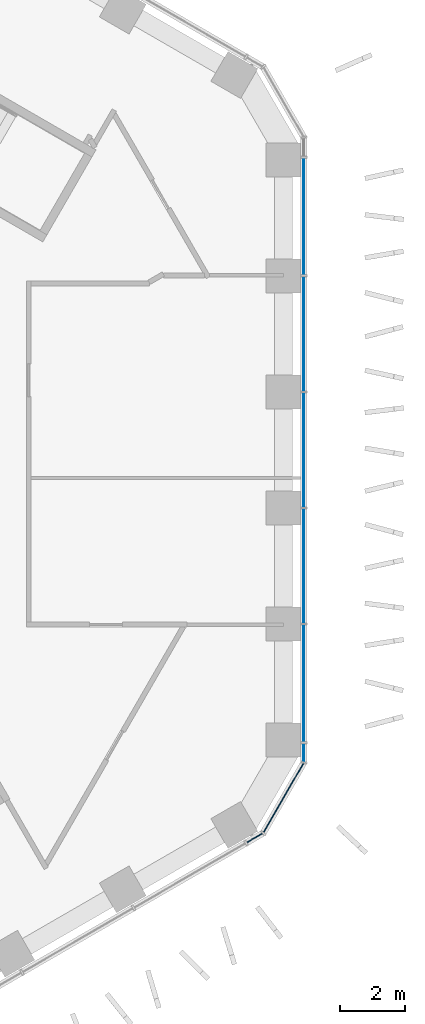
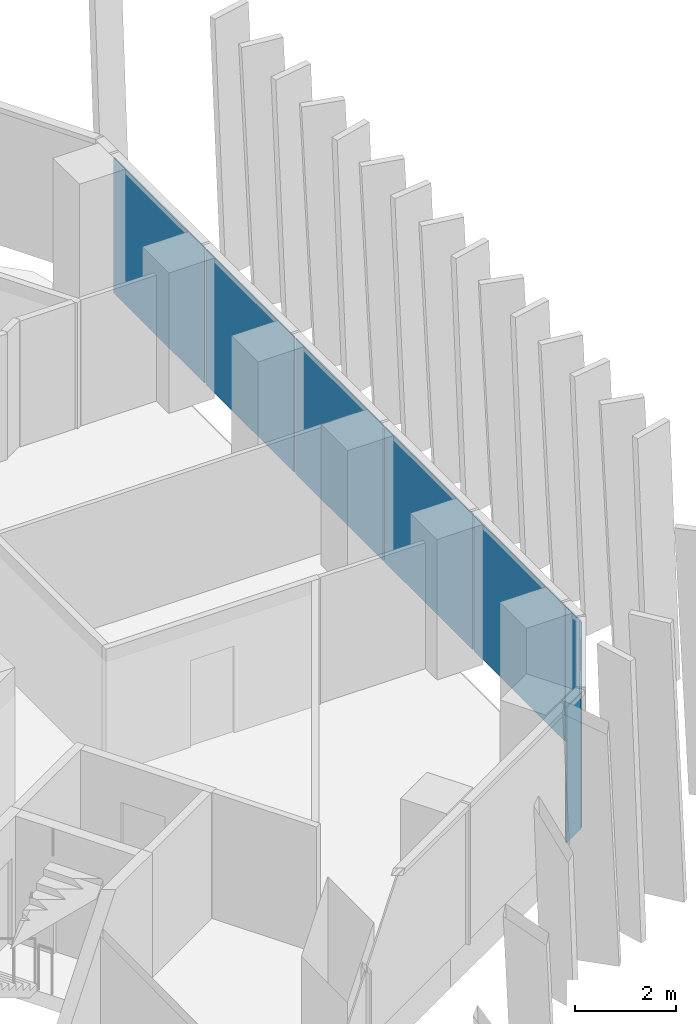
# One storey, part 11 of 19: 8 plates, 2 elements without a shape of their own.
"""IFC4 building model written with IfcOpenShell, lengths in metres."""

from ifc_helpers import new_model, si_unit, direction, frame, origin, origin_2d, place, context, subcontext, project, spatial, rectangle, extrude, material, layer, layer_set, type_object, element, aggregate, save


model = new_model("IFC4")

# Units and contexts
model_context = context("Model", 3, precision=1e-05, world=origin(), true_north=direction((0.0, 1.0)))
body_context = subcontext(model_context, "Body", "Model", "MODEL_VIEW")
ifc_project = project(units=[si_unit("LENGTHUNIT", "METRE"), si_unit("AREAUNIT", "SQUARE_METRE"), si_unit("VOLUMEUNIT", "CUBIC_METRE"), si_unit("PLANEANGLEUNIT", "RADIAN"), si_unit("MASSUNIT", "GRAM", prefix="KILO")], contexts=[model_context])

# Site, building, storey
site_placement = place(None, origin())
site = spatial("IfcSite", under=ifc_project, at=site_placement, CompositionType="ELEMENT")
building_placement = place(site_placement, origin())
building = spatial("IfcBuilding", under=site, at=building_placement, Name="Ayvan Gate Tower", CompositionType="ELEMENT")
storey_placement = place(building_placement, frame((0.0, 0.0, 113.699951171875)))
storey = spatial("IfcBuildingStorey", under=building, at=storey_placement, Name="L30", CompositionType="ELEMENT", Elevation=113.699951171875)

# Curtain wall, plates
ifc_material_1 = material(Name="Bronze anodised aluminium", Category="aluminium")
ifc_layer_1 = layer(ifc_material_1, 0.199951171875)
ifc_layer_set_1 = layer_set([ifc_layer_1], Name="Bronze anodised aluminium")
curtain_wall_type_1 = type_object("IfcCurtainWallType", Name="Stick curtain wall CW-1", PredefinedType="NOTDEFINED", material=ifc_layer_set_1)
curtain_wall_1_placement = place(storey_placement, origin())
curtain_wall_1 = element("IfcCurtainWall", 1, at=curtain_wall_1_placement, inside=storey, type_object=curtain_wall_type_1, Name="Stick curtain wall CW-1 L30", PredefinedType="NOTDEFINED")
ifc_material_2 = material(Name="Clear low-iron laminated glass", Category="glass")
ifc_layer_2 = layer(ifc_material_2, 0.028076171875)
ifc_layer_set_2 = layer_set([ifc_layer_2], Name="Clear low-iron laminated glass")
plate_type_1 = type_object("IfcPlateType", Name="Stick curtain wall CW-1 glass panel", PredefinedType="CURTAIN_PANEL", material=ifc_layer_set_2)
plate_1_placement = place(storey_placement, frame((20.110595703125, -7.152099609375, 0.0), z_axis=(0.0, 0.0, 1.0), x_axis=(0.0, 1.0, 0.0)))
plate_1 = element("IfcPlate", 2, at=plate_1_placement, type_object=plate_type_1, Name="CW-1 glass panel 1", PredefinedType="CURTAIN_PANEL", context=body_context, shape_type="SweptSolid", body=[
    extrude(rectangle(XDim=3.60302734375, YDim=0.028076171875, at=origin_2d()), origin(), (0.0, 0.0, 1.0), 3.280029296875),
])
plate_2_placement = place(storey_placement, frame((20.110595703125, -3.546875, 0.0), z_axis=(0.0, 0.0, 1.0), x_axis=(0.0, 1.0, 0.0)))
plate_2 = element("IfcPlate", 3, at=plate_2_placement, type_object=plate_type_1, Name="CW-1 glass panel 2", PredefinedType="CURTAIN_PANEL", context=body_context, shape_type="SweptSolid", body=[
    extrude(rectangle(XDim=3.487060546875, YDim=0.028076171875, at=origin_2d()), origin(), (0.0, 0.0, 1.0), 3.280029296875),
])
plate_3_placement = place(storey_placement, frame((20.110595703125, 0.0, 0.0), z_axis=(0.0, 0.0, 1.0), x_axis=(0.0, 1.0, 0.0)))
plate_3 = element("IfcPlate", 4, at=plate_3_placement, type_object=plate_type_1, Name="CW-1 glass panel 3", PredefinedType="CURTAIN_PANEL", context=body_context, shape_type="SweptSolid", body=[
    extrude(rectangle(XDim=3.487060546875, YDim=0.028076171875, at=origin_2d()), origin(), (0.0, 0.0, 1.0), 3.280029296875),
])
plate_4_placement = place(storey_placement, frame((20.110595703125, 3.547119140625, 0.0), z_axis=(0.0, 0.0, 1.0), x_axis=(0.0, 1.0, 0.0)))
plate_4 = element("IfcPlate", 5, at=plate_4_placement, type_object=plate_type_1, Name="CW-1 glass panel 4", PredefinedType="CURTAIN_PANEL", context=body_context, shape_type="SweptSolid", body=[
    extrude(rectangle(XDim=3.487060546875, YDim=0.028076171875, at=origin_2d()), origin(), (0.0, 0.0, 1.0), 3.280029296875),
])
plate_5_placement = place(storey_placement, frame((20.110595703125, 7.152099609375, 0.0), z_axis=(0.0, 0.0, 1.0), x_axis=(0.0, 1.0, 0.0)))
plate_5 = element("IfcPlate", 6, at=plate_5_placement, type_object=plate_type_1, Name="CW-1 glass panel 5", PredefinedType="CURTAIN_PANEL", context=body_context, shape_type="SweptSolid", body=[
    extrude(rectangle(XDim=3.60302734375, YDim=0.028076171875, at=origin_2d()), origin(), (0.0, 0.0, 1.0), 3.280029296875),
])
aggregate(curtain_wall_1, [plate_1, plate_2, plate_3, plate_4, plate_5])

ifc_layer_3 = layer(ifc_material_1, 0.199951171875)
ifc_layer_set_3 = layer_set([ifc_layer_3], Name="Bronze anodised aluminium")
curtain_wall_type_2 = type_object("IfcCurtainWallType", Name="Stick curtain wall CW-6", PredefinedType="NOTDEFINED", material=ifc_layer_set_3)
curtain_wall_2_placement = place(storey_placement, origin())
curtain_wall_2 = element("IfcCurtainWall", 7, at=curtain_wall_2_placement, inside=storey, type_object=curtain_wall_type_2, Name="Stick curtain wall CW-6 L30", PredefinedType="NOTDEFINED")
ifc_layer_4 = layer(ifc_material_2, 0.028076171875)
ifc_layer_set_4 = layer_set([ifc_layer_4], Name="Clear low-iron laminated glass")
plate_type_2 = type_object("IfcPlateType", Name="Stick curtain wall CW-6 glass panel", PredefinedType="CURTAIN_PANEL", material=ifc_layer_set_4)
plate_6_placement = place(storey_placement, frame((18.607421875, -11.86181640625, 0.0), z_axis=(0.0, 0.0, 1.0), x_axis=(0.866025403784, 0.5, 0.0)))
plate_6 = element("IfcPlate", 8, at=plate_6_placement, type_object=plate_type_2, Name="CW-6 glass panel 1", PredefinedType="CURTAIN_PANEL", context=body_context, shape_type="SweptSolid", body=[
    extrude(rectangle(XDim=0.550048828125, YDim=0.028076171875, at=origin_2d()), origin(), (0.0, 0.0, 1.0), 3.280029296875),
])
plate_7_placement = place(storey_placement, frame((19.489013671875, -10.63525390625, 0.0), z_axis=(0.0, 0.0, 1.0), x_axis=(0.5, 0.866025403784, 0.0)))
plate_7 = element("IfcPlate", 9, at=plate_7_placement, type_object=plate_type_2, Name="CW-6 glass panel 2", PredefinedType="CURTAIN_PANEL", context=body_context, shape_type="SweptSolid", body=[
    extrude(rectangle(XDim=2.4365234375, YDim=0.028076171875, at=origin_2d()), origin(), (0.0, 0.0, 1.0), 3.280029296875),
])
plate_8_placement = place(storey_placement, frame((20.110595703125, -9.258544921875, 0.0), z_axis=(0.0, 0.0, 1.0), x_axis=(0.0, 1.0, 0.0)))
plate_8 = element("IfcPlate", 10, at=plate_8_placement, type_object=plate_type_2, Name="CW-6 glass panel 3", PredefinedType="CURTAIN_PANEL", context=body_context, shape_type="SweptSolid", body=[
    extrude(rectangle(XDim=0.550048828125, YDim=0.028076171875, at=origin_2d()), origin(), (0.0, 0.0, 1.0), 3.280029296875),
])
aggregate(curtain_wall_2, [plate_6, plate_7, plate_8])

save(model, "model.ifc")
